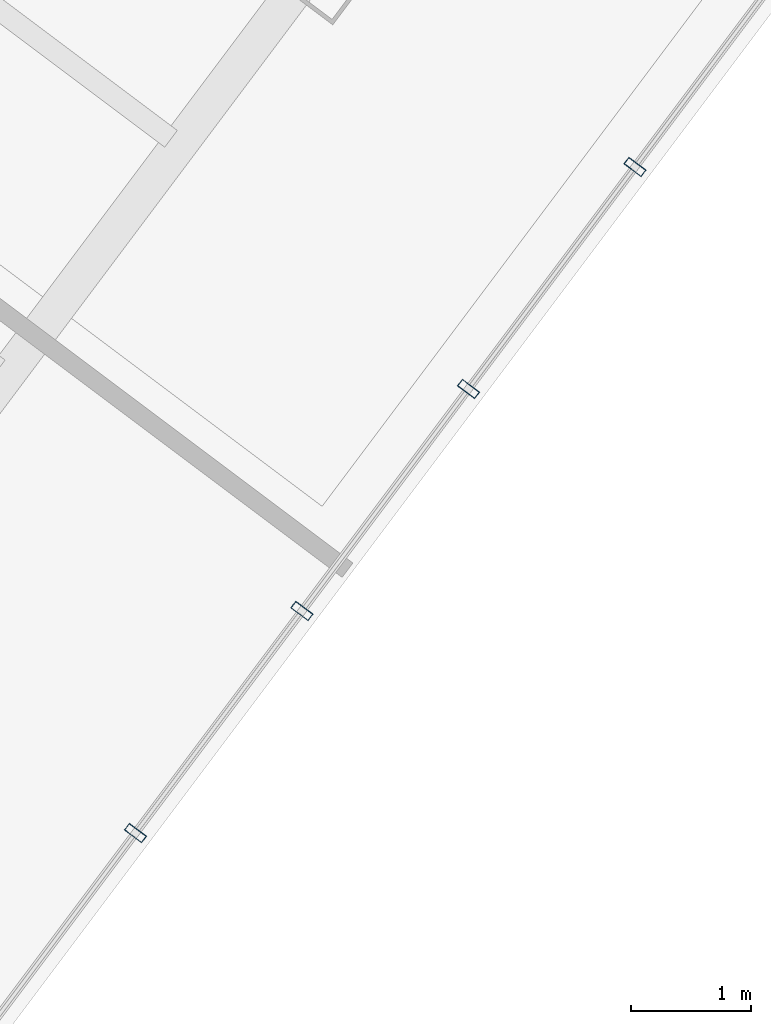
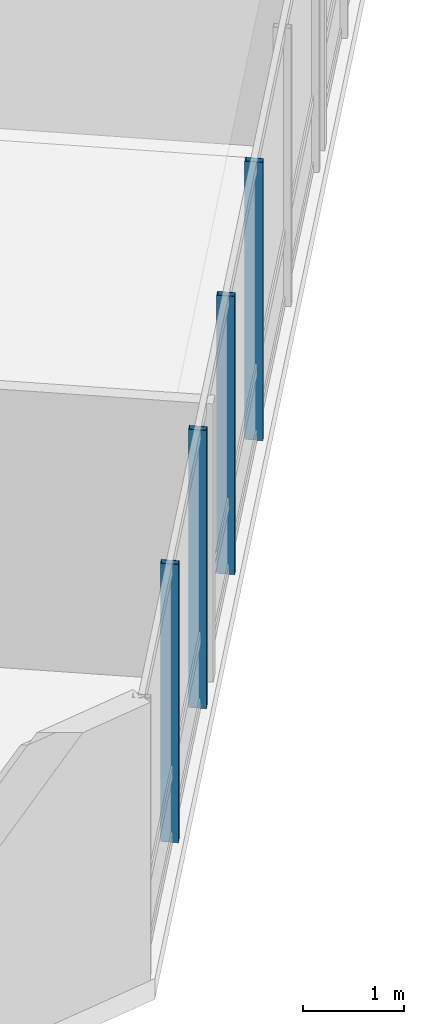
# One storey, part 8 of 30: 4 members, 1 element without a shape of its own.
"""IFC4 building model written with IfcOpenShell, lengths in metres."""

from ifc_helpers import new_model, si_unit, direction, frame, origin, origin_2d, place, context, subcontext, project, spatial, hollow_rectangle, extrude, material, layer, layer_set, material_profile, profile_set, type_object, element, aggregate, save


model = new_model("IFC4")

# Units and contexts
model_context = context("Model", 3, precision=1e-05, world=origin(), true_north=direction((0.0, 1.0)))
body_context = subcontext(model_context, "Body", "Model", "MODEL_VIEW")
ifc_project = project(units=[si_unit("LENGTHUNIT", "METRE"), si_unit("AREAUNIT", "SQUARE_METRE"), si_unit("VOLUMEUNIT", "CUBIC_METRE"), si_unit("PLANEANGLEUNIT", "RADIAN"), si_unit("MASSUNIT", "GRAM", prefix="KILO")], contexts=[model_context])

# Site, building, storey
site_placement = place(None, origin())
site = spatial("IfcSite", under=ifc_project, at=site_placement, CompositionType="ELEMENT")
building_placement = place(site_placement, origin())
building = spatial("IfcBuilding", under=site, at=building_placement, Name="Hatsunagi Terrace Concourse", CompositionType="ELEMENT")
storey_placement = place(building_placement, frame((0.0, 0.0, 101.25)))
storey = spatial("IfcBuildingStorey", under=building, at=storey_placement, Name="L26", CompositionType="ELEMENT", Elevation=101.25)

# Curtain wall, members
ifc_material_1 = material(Name="Anodised Aluminium Alloy 6063-T5", Category="aluminium")
ifc_layer = layer(ifc_material_1, 0.199951171875)
ifc_layer_set = layer_set([ifc_layer], Name="OfficeZone1_CW03")
curtain_wall_type = type_object("IfcCurtainWallType", Name="OfficeZone1_CW03", PredefinedType="NOTDEFINED", material=ifc_layer_set)
curtain_wall_placement = place(storey_placement, origin())
curtain_wall = element("IfcCurtainWall", 1, at=curtain_wall_placement, inside=storey, type_object=curtain_wall_type, Name="Unitised Curtain Wall CW-03 CW-L26-03", PredefinedType="NOTDEFINED")
ifc_material_2 = material(Name="Anodised Aluminium Alloy 6063-T5", Category="aluminium")
ifc_material_profile = material_profile(ifc_material_2, hollow_rectangle(XDim=0.070068359375, YDim=0.179931640625, WallThickness=0.00390625, at=origin_2d()), Name="ALU-MUL-180x70x4")
ifc_profile_set = profile_set([ifc_material_profile], Name="Anodised Aluminium Alloy 6063-T5")
member_type = type_object("IfcMemberType", Name="CurtainWallMullion_180x70", PredefinedType="MULLION", material=ifc_profile_set)
member_1_placement = place(storey_placement, frame((62.132080078125, 10.3759765625, 0.0), z_axis=(0.0, 0.0, 1.0), x_axis=(-0.599969314634, -0.800023013105, 0.0)))
member_1 = element("IfcMember", 2, at=member_1_placement, type_object=member_type, Name="Curtain Wall Mullion MUL-02", PredefinedType="MULLION", context=body_context, shape_type="SweptSolid", body=[
    extrude(hollow_rectangle(XDim=0.070068359375, YDim=0.179931640625, WallThickness=0.00390625, at=origin_2d()), origin(), (0.0, 0.0, 1.0), 3.35009765625),
])
member_2_placement = place(storey_placement, frame((60.739990234375, 8.51904296875, 0.0), z_axis=(0.0, 0.0, 1.0), x_axis=(-0.599969314634, -0.800023013105, 0.0)))
member_2 = element("IfcMember", 3, at=member_2_placement, type_object=member_type, Name="Curtain Wall Mullion MUL-02", PredefinedType="MULLION", context=body_context, shape_type="SweptSolid", body=[
    extrude(hollow_rectangle(XDim=0.070068359375, YDim=0.179931640625, WallThickness=0.00390625, at=origin_2d()), origin(), (0.0, 0.0, 1.0), 3.35009765625),
])
member_3_placement = place(storey_placement, frame((59.346923828125, 6.6630859375, 0.0), z_axis=(0.0, 0.0, 1.0), x_axis=(-0.599969314634, -0.800023013105, 0.0)))
member_3 = element("IfcMember", 4, at=member_3_placement, type_object=member_type, Name="Curtain Wall Mullion MUL-02", PredefinedType="MULLION", context=body_context, shape_type="SweptSolid", body=[
    extrude(hollow_rectangle(XDim=0.070068359375, YDim=0.179931640625, WallThickness=0.00390625, at=origin_2d()), origin(), (0.0, 0.0, 1.0), 3.35009765625),
])
member_4_placement = place(storey_placement, frame((57.955078125, 4.805908203125, 0.0), z_axis=(0.0, 0.0, 1.0), x_axis=(-0.599969314634, -0.800023013105, 0.0)))
member_4 = element("IfcMember", 5, at=member_4_placement, type_object=member_type, Name="Curtain Wall Mullion MUL-02", PredefinedType="MULLION", context=body_context, shape_type="SweptSolid", body=[
    extrude(hollow_rectangle(XDim=0.070068359375, YDim=0.179931640625, WallThickness=0.00390625, at=origin_2d()), origin(), (0.0, 0.0, 1.0), 3.35009765625),
])
aggregate(curtain_wall, [member_1, member_2, member_3, member_4])

save(model, "model.ifc")
